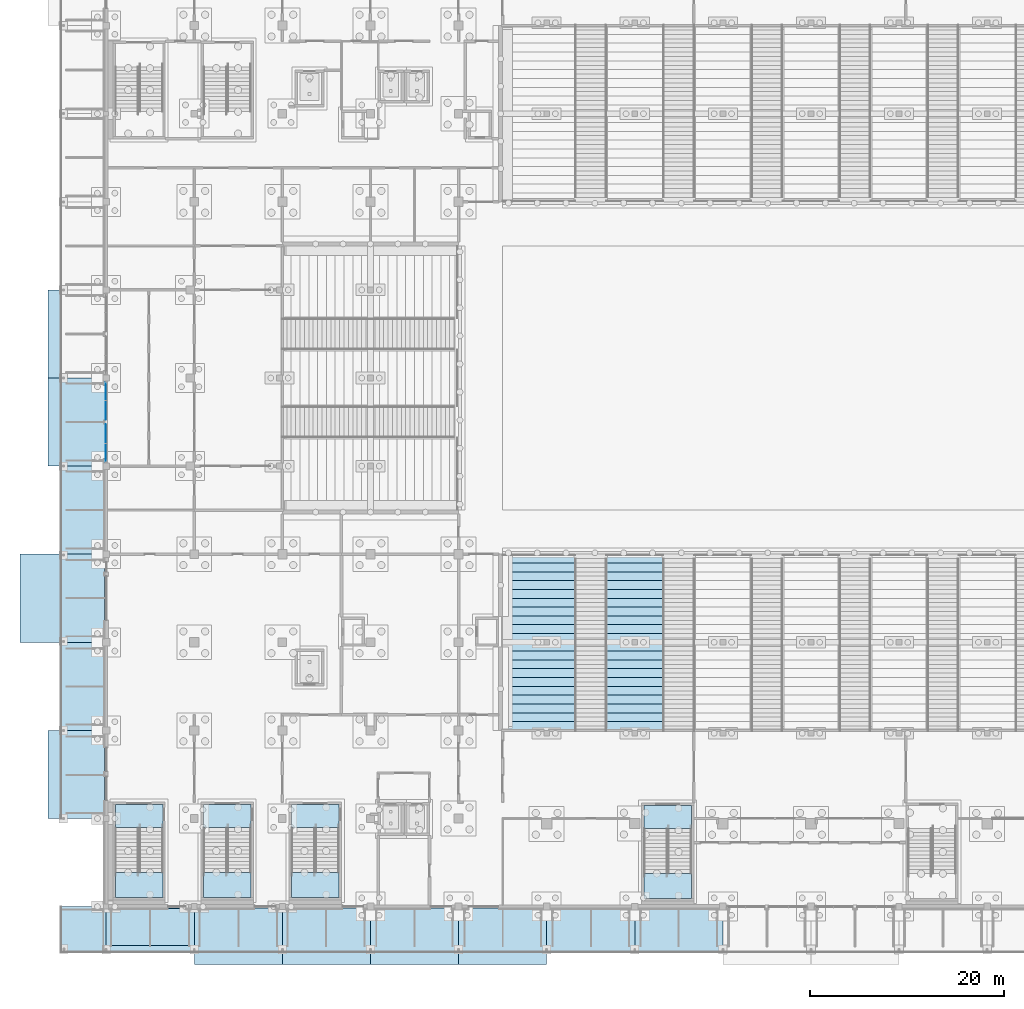
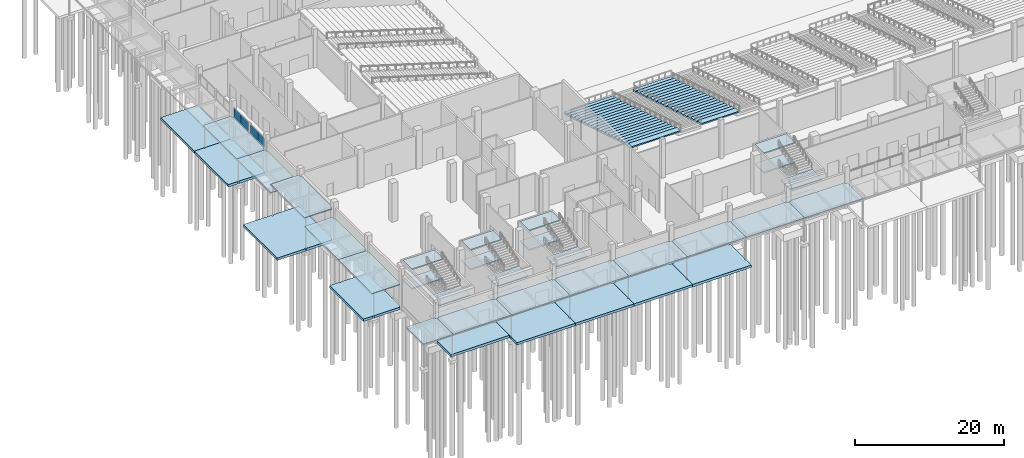
# One storey, part 60 of 129: 40 slabs, 4 plates, 6 elements without a shape of their own.
"""IFC4 building model written with IfcOpenShell, lengths in metres."""

import ifcopenshell
import ifcopenshell.guid

model = None  # the IFC model being written
_history = None  # IfcOwnerHistory: only IFC2X3 demands one
_inside = {}  # id of a spatial element -> (the spatial element, [elements in it])
_under = {}  # id of a project, library or spatial element -> (it, [spatial elements below it])
_declared = {}  # id of a project -> (the project, [libraries it declares])
_typed = {}  # id of a type object -> (the type object, [elements of that type])
_made_of = {}  # id of a material, layer set ... -> (it, [elements and type objects made of it])


def new_model(schema):
    """Start an empty IFC model of exactly this schema.

    Asked for "IFC4X3", IfcOpenShell would pick the latest addendum, in which some entities
    have other attributes; the version numbers below select the first issue.
    IFC2X3 requires an IfcOwnerHistory on every rooted entity: one is made here for all.
    """
    global model, _history
    if schema == "IFC4X3":
        model = ifcopenshell.file(schema_version=(4, 3, 0, 0))
    else:
        model = ifcopenshell.file(schema=schema)
    _inside.clear()
    _under.clear()
    _declared.clear()
    _typed.clear()
    _made_of.clear()
    _history = None
    if model.schema == "IFC2X3":
        org = make("IfcOrganization", Name="unknown")
        user = make(
            "IfcPersonAndOrganization",
            ThePerson=make("IfcPerson", FamilyName="unknown"),
            TheOrganization=org,
        )
        app = make(
            "IfcApplication",
            ApplicationDeveloper=org,
            Version="unknown",
            ApplicationFullName="unknown",
            ApplicationIdentifier="unknown",
        )
        _history = make(
            "IfcOwnerHistory",
            OwningUser=user,
            OwningApplication=app,
            ChangeAction="ADDED",
            CreationDate=0,
        )
    return model


def make(cls, **values):
    """One entity of the class cls with the attributes given. An attribute that is None is left unset."""
    return model.create_entity(
        cls, **{name: value for name, value in values.items() if value is not None}
    )


def rooted(cls, **values):
    """An entity with a GlobalId (a new one), such as an element, a storey or a relation."""
    return make(cls, GlobalId=ifcopenshell.guid.new(), OwnerHistory=_history, **values)


def si_unit(unit_type, name, prefix=None):
    """IfcSIUnit, for example si_unit("LENGTHUNIT", "METRE", prefix="MILLI")."""
    return make("IfcSIUnit", UnitType=unit_type, Prefix=prefix, Name=name)


def assignment(units):
    """IfcUnitAssignment: the units of a project."""
    return None if units is None else make("IfcUnitAssignment", Units=units)


def point(xyz):
    """IfcCartesianPoint."""
    return None if xyz is None else make("IfcCartesianPoint", Coordinates=xyz)


def direction(xyz):
    """IfcDirection."""
    return None if xyz is None else make("IfcDirection", DirectionRatios=xyz)


def frame(location, z_axis=None, x_axis=None):
    """IfcAxis2Placement3D, a coordinate frame: its origin and axes. An axis left out is left unset."""
    return make(
        "IfcAxis2Placement3D",
        Location=point(location),
        Axis=direction(z_axis),
        RefDirection=direction(x_axis),
    )


def frame_2d(location, x_axis=None):
    """IfcAxis2Placement2D, a coordinate frame in the plane: its origin and x axis."""
    return make(
        "IfcAxis2Placement2D", Location=point(location), RefDirection=direction(x_axis)
    )


def origin():
    """The frame at (0, 0, 0) with its axes left unset."""
    return frame((0.0, 0.0, 0.0))


def origin_2d():
    """The frame at (0, 0) in the plane with its x axis left unset."""
    return frame_2d((0.0, 0.0))


def place(relative_to, where):
    """IfcLocalPlacement: puts the frame where relative to a parent placement (None: the world)."""
    return make(
        "IfcLocalPlacement", PlacementRelTo=relative_to, RelativePlacement=where
    )


def context(
    kind, dimensions, precision=None, world=None, true_north=None, identifier=None
):
    """IfcGeometricRepresentationContext, for example the 3D "Model" context."""
    return make(
        "IfcGeometricRepresentationContext",
        ContextIdentifier=identifier,
        ContextType=kind,
        CoordinateSpaceDimension=dimensions,
        Precision=precision,
        WorldCoordinateSystem=world,
        TrueNorth=true_north,
    )


def subcontext(parent, identifier, kind, view, scale=None):
    """IfcGeometricRepresentationSubContext, for example "Body" below "Model"."""
    return make(
        "IfcGeometricRepresentationSubContext",
        ContextIdentifier=identifier,
        ContextType=kind,
        ParentContext=parent,
        TargetScale=scale,
        TargetView=view,
    )


def project(units=None, contexts=None):
    """IfcProject with its units and contexts."""
    return rooted(
        "IfcProject",
        Name="project",
        RepresentationContexts=contexts,
        UnitsInContext=assignment(units),
    )


def spatial(cls, under=None, at=None, **own):
    """A site, building, storey or space (cls), placed at a placement, below another one or the project."""
    s = rooted(cls, ObjectPlacement=at, **own)
    if under is not None:
        _under.setdefault(under.id(), (under, []))[1].append(s)
    return s


def polyline(points):
    """IfcPolyline through the points."""
    return make("IfcPolyline", Points=[point(p) for p in points])


def profile(cls, at=None, kind="AREA", **sizes):
    """A parametric profile (cls). Its sizes go by their IFC names, for example OverallWidth=200.0."""
    return make(cls, ProfileType=kind, Position=at, **sizes)


def rectangle(**sizes):
    """IfcRectangleProfileDef."""
    return profile("IfcRectangleProfileDef", **sizes)


def outline(outer, holes=None, kind="AREA"):
    """IfcArbitraryClosedProfileDef: a profile drawn as a closed curve; with holes, ...WithVoids."""
    if holes is None:
        return make("IfcArbitraryClosedProfileDef", ProfileType=kind, OuterCurve=outer)
    return make(
        "IfcArbitraryProfileDefWithVoids",
        ProfileType=kind,
        OuterCurve=outer,
        InnerCurves=holes,
    )


def extrude(swept, where, along, depth):
    """IfcExtrudedAreaSolid: the profile swept, set in the frame where, extruded along a direction by depth."""
    return make(
        "IfcExtrudedAreaSolid",
        SweptArea=swept,
        Position=where,
        ExtrudedDirection=direction(along),
        Depth=depth,
    )


def shape(context_of_items, identifier, shape_type, items):
    """IfcShapeRepresentation: the items that make up one representation, for example the "Body"."""
    return make(
        "IfcShapeRepresentation",
        ContextOfItems=context_of_items,
        RepresentationIdentifier=identifier,
        RepresentationType=shape_type,
        Items=items,
    )


def material(Name=None, Category=None):
    """IfcMaterial."""
    return make("IfcMaterial", Name=Name, Category=Category)


def layer(
    of_material, thickness, ventilated=None, Name=None, Category=None, Priority=None
):
    """IfcMaterialLayer: one layer of a wall or slab, of a material (None: an air gap)."""
    return make(
        "IfcMaterialLayer",
        Material=of_material,
        LayerThickness=thickness,
        IsVentilated=ventilated,
        Name=Name,
        Category=Category,
        Priority=Priority,
    )


def layer_set(layers, Name=None):
    """IfcMaterialLayerSet."""
    return make("IfcMaterialLayerSet", MaterialLayers=layers, LayerSetName=Name)


def made_of(thing, what):
    """Note that an element or type object is made of a material, layer set ...; save() writes the relation."""
    if what is not None:
        _made_of.setdefault(what.id(), (what, []))[1].append(thing)
    return thing


def type_object(cls, material=None, **own):
    """A type object (cls), such as IfcWallType, which elements share."""
    return made_of(rooted(cls, **own), material)


def element(
    cls,
    number,
    at=None,
    inside=None,
    cuts=None,
    type_object=None,
    material=None,
    context=None,
    identifier="Body",
    shape_type=None,
    held_by="IfcProductDefinitionShape",
    body=None,
    shapes=None,
    **own,
):
    """One element of the class cls, such as IfcWall. Its Tag is "e" and its number.

    at: its placement. inside: the storey or other place that contains it. cuts: it is an
    opening in that element (IfcRelVoidsElement). A single representation is given by context,
    identifier, shape_type and body (its items); several are given by shapes. held_by: the class
    of the entity that holds the representations. save() writes the other relations.
    """
    e = rooted(cls, Tag="e%d" % number, ObjectPlacement=at, **own)
    if body is not None:
        shapes = [shape(context, identifier, shape_type, body)]
    if shapes is not None:
        e.Representation = make(held_by, Representations=shapes)
    if inside is not None:
        _inside.setdefault(inside.id(), (inside, []))[1].append(e)
    if cuts is not None:
        rooted(
            "IfcRelVoidsElement", RelatingBuildingElement=cuts, RelatedOpeningElement=e
        )
    if type_object is not None:
        _typed.setdefault(type_object.id(), (type_object, []))[1].append(e)
    return made_of(e, material)


def aggregate(whole, parts):
    """IfcRelAggregates: a whole, such as a stair, and the parts it consists of."""
    return rooted("IfcRelAggregates", RelatingObject=whole, RelatedObjects=parts)


def save(model, path):
    """Write the relations noted so far, then the file.

    IfcRelAggregates (storeys below a building ...), IfcRelContainedInSpatialStructure (elements
    in a storey), IfcRelDefinesByType, IfcRelAssociatesMaterial and IfcRelDeclares: one each for
    every whole, place, type object, material and project.
    """
    for whole, parts in _under.values():
        aggregate(whole, parts)
    for where, things in _inside.values():
        rooted(
            "IfcRelContainedInSpatialStructure",
            RelatedElements=things,
            RelatingStructure=where,
        )
    for kind, things in _typed.values():
        rooted("IfcRelDefinesByType", RelatedObjects=things, RelatingType=kind)
    for what, things in _made_of.values():
        rooted("IfcRelAssociatesMaterial", RelatedObjects=things, RelatingMaterial=what)
    for by, libraries in _declared.values():
        rooted("IfcRelDeclares", RelatingContext=by, RelatedDefinitions=libraries)
    model.write(path)


model = new_model("IFC4")

# Units and contexts
model_context = context("Model", 3, precision=1e-05, world=origin(), true_north=direction((0.0, 1.0)))
body_context = subcontext(model_context, "Body", "Model", "MODEL_VIEW")
ifc_project = project(units=[si_unit("LENGTHUNIT", "METRE"), si_unit("AREAUNIT", "SQUARE_METRE"), si_unit("VOLUMEUNIT", "CUBIC_METRE"), si_unit("PLANEANGLEUNIT", "RADIAN"), si_unit("MASSUNIT", "GRAM", prefix="KILO")], contexts=[model_context])

# Site, building, storey
site_placement = place(None, origin())
site = spatial("IfcSite", under=ifc_project, at=site_placement, CompositionType="ELEMENT")
building_placement = place(site_placement, origin())
building = spatial("IfcBuilding", under=site, at=building_placement, Name="Shirokan Park Arena", CompositionType="ELEMENT")
storey_placement = place(building_placement, origin())
storey = spatial("IfcBuildingStorey", under=building, at=storey_placement, Name="L00", CompositionType="ELEMENT", Elevation=0.0)

# Slabs
ifc_material_1 = material(Name="Zinc standing seam sheet")
ifc_layer_1 = layer(ifc_material_1, 0.0048828125, Name="Zinc standing seam sheet")
ifc_material_2 = material(Name="Mineral wool insulation")
ifc_layer_2 = layer(ifc_material_2, 0.050048828125, Name="Mineral wool insulation")
ifc_material_3 = material(Name="Cross-laminated timber deck", Category="wood")
ifc_layer_3 = layer(ifc_material_3, 0.094970703125, Name="Cross-laminated timber deck")
ifc_layer_set_1 = layer_set([ifc_layer_1, ifc_layer_2, ifc_layer_3], Name="Zinc standing seam sheet + Mineral wool insulation + Cross-laminated timber deck")
slab_type_1 = type_object("IfcSlabType", Name="Canopy deck 150", PredefinedType="ROOF", material=ifc_layer_set_1)
slab_1_placement = place(storey_placement, frame((0.0, 0.0, 3.60009765625)))
element("IfcSlab", 1, at=slab_1_placement, inside=storey, type_object=slab_type_1, Name="Canopy deck south bay 1", PredefinedType="ROOF", context=body_context, shape_type="SweptSolid", body=[
    extrude(outline(polyline([(8.800048828125, -0.14990234375), (8.800048828125, -0.300048828125), (9.10009765625, -0.300048828125), (9.10009765625, -4.64990234375), (0.0, -4.64990234375), (0.0, -0.25), (0.25, -0.25), (0.25, -0.14990234375), (8.800048828125, -0.14990234375)])), origin(), (0.0, 0.0, 1.0), 0.14990234375),
])
slab_2_placement = place(storey_placement, frame((0.0, 0.0, 3.60009765625)))
element("IfcSlab", 2, at=slab_2_placement, inside=storey, type_object=slab_type_1, Name="Canopy deck south bay 2", PredefinedType="ROOF", context=body_context, shape_type="SweptSolid", body=[
    extrude(outline(polyline([(17.89990234375, -0.14990234375), (17.89990234375, -0.300048828125), (18.199951171875, -0.300048828125), (18.199951171875, -4.64990234375), (9.10009765625, -4.64990234375), (9.10009765625, -0.300048828125), (9.39990234375, -0.300048828125), (9.39990234375, -0.14990234375), (17.89990234375, -0.14990234375)])), origin(), (0.0, 0.0, 1.0), 0.14990234375),
])
slab_3_placement = place(storey_placement, frame((0.0, 0.0, 3.60009765625)))
element("IfcSlab", 3, at=slab_3_placement, inside=storey, type_object=slab_type_1, Name="Canopy deck south bay 3", PredefinedType="ROOF", context=body_context, shape_type="SweptSolid", body=[
    extrude(outline(polyline([(26.949951171875, -0.14990234375), (26.949951171875, -0.35009765625), (27.300048828125, -0.35009765625), (27.300048828125, -4.64990234375), (18.199951171875, -4.64990234375), (18.199951171875, -0.300048828125), (18.5, -0.300048828125), (18.5, -0.14990234375), (26.949951171875, -0.14990234375)])), origin(), (0.0, 0.0, 1.0), 0.14990234375),
])
slab_4_placement = place(storey_placement, frame((0.0, 0.0, 3.60009765625)))
element("IfcSlab", 4, at=slab_4_placement, inside=storey, type_object=slab_type_1, Name="Canopy deck south bay 4", PredefinedType="ROOF", context=body_context, shape_type="SweptSolid", body=[
    extrude(outline(polyline([(36.02490234375, -0.14990234375), (36.02490234375, -0.375), (36.39990234375, -0.375), (36.39990234375, -4.64990234375), (27.300048828125, -4.64990234375), (27.300048828125, -0.35009765625), (27.64990234375, -0.35009765625), (27.64990234375, -0.14990234375), (36.02490234375, -0.14990234375)])), origin(), (0.0, 0.0, 1.0), 0.14990234375),
])
slab_5_placement = place(storey_placement, frame((0.0, 0.0, 3.60009765625)))
element("IfcSlab", 5, at=slab_5_placement, inside=storey, type_object=slab_type_1, Name="Canopy deck south bay 5", PredefinedType="ROOF", context=body_context, shape_type="SweptSolid", body=[
    extrude(outline(polyline([(45.14990234375, -0.14990234375), (45.14990234375, -0.35009765625), (45.5, -0.35009765625), (45.5, -4.64990234375), (36.39990234375, -4.64990234375), (36.39990234375, -0.375), (36.77490234375, -0.375), (36.77490234375, -0.14990234375), (45.14990234375, -0.14990234375)])), origin(), (0.0, 0.0, 1.0), 0.14990234375),
])
slab_6_placement = place(storey_placement, frame((0.0, 0.0, 3.60009765625)))
element("IfcSlab", 6, at=slab_6_placement, inside=storey, type_object=slab_type_1, Name="Canopy deck south bay 6", PredefinedType="ROOF", context=body_context, shape_type="SweptSolid", body=[
    extrude(outline(polyline([(54.27490234375, -0.14990234375), (54.27490234375, -0.324951171875), (54.60009765625, -0.324951171875), (54.60009765625, -4.64990234375), (45.5, -4.64990234375), (45.5, -0.35009765625), (45.85009765625, -0.35009765625), (45.85009765625, -0.14990234375), (54.27490234375, -0.14990234375)])), origin(), (0.0, 0.0, 1.0), 0.14990234375),
])
slab_7_placement = place(storey_placement, frame((0.0, 0.0, 3.60009765625)))
element("IfcSlab", 7, at=slab_7_placement, inside=storey, type_object=slab_type_1, Name="Canopy deck south bay 7", PredefinedType="ROOF", context=body_context, shape_type="SweptSolid", body=[
    extrude(outline(polyline([(63.35009765625, -0.14990234375), (63.35009765625, -0.35009765625), (63.699951171875, -0.35009765625), (63.699951171875, -4.64990234375), (54.60009765625, -4.64990234375), (54.60009765625, -0.324951171875), (54.925048828125, -0.324951171875), (54.925048828125, -0.14990234375), (63.35009765625, -0.14990234375)])), origin(), (0.0, 0.0, 1.0), 0.14990234375),
])
slab_8_placement = place(storey_placement, frame((0.0, 0.0, 3.60009765625)))
element("IfcSlab", 8, at=slab_8_placement, inside=storey, type_object=slab_type_1, Name="Canopy deck west bay 7", PredefinedType="ROOF", context=body_context, shape_type="SweptSolid", body=[
    extrude(outline(polyline([(-0.14990234375, 45.824951171875), (-0.324951171875, 45.824951171875), (-0.324951171875, 45.5), (-4.64990234375, 45.5), (-4.64990234375, 54.60009765625), (-0.324951171875, 54.60009765625), (-0.324951171875, 54.27490234375), (-0.14990234375, 54.27490234375), (-0.14990234375, 45.824951171875)])), origin(), (0.0, 0.0, 1.0), 0.14990234375),
])
slab_9_placement = place(storey_placement, frame((0.0, 0.0, 3.60009765625)))
element("IfcSlab", 9, at=slab_9_placement, inside=storey, type_object=slab_type_1, Name="Canopy deck west bay 8", PredefinedType="ROOF", context=body_context, shape_type="SweptSolid", body=[
    extrude(outline(polyline([(-0.14990234375, 36.75), (-0.35009765625, 36.75), (-0.35009765625, 36.39990234375), (-4.64990234375, 36.39990234375), (-4.64990234375, 45.5), (-0.324951171875, 45.5), (-0.324951171875, 45.175048828125), (-0.14990234375, 45.175048828125), (-0.14990234375, 36.75)])), origin(), (0.0, 0.0, 1.0), 0.14990234375),
])
slab_10_placement = place(storey_placement, frame((0.0, 0.0, 5.0)))
element("IfcSlab", 10, at=slab_10_placement, inside=storey, type_object=slab_type_1, Name="Canopy deck west bay 9", PredefinedType="ROOF", context=body_context, shape_type="SweptSolid", body=[
    extrude(outline(polyline([(-0.14990234375, 27.675048828125), (-0.375, 27.675048828125), (-0.375, 27.300048828125), (-4.64990234375, 27.300048828125), (-4.64990234375, 36.39990234375), (-0.35009765625, 36.39990234375), (-0.35009765625, 36.050048828125), (-0.14990234375, 36.050048828125), (-0.14990234375, 27.675048828125)])), origin(), (0.0, 0.0, 1.0), 0.14990234375),
])
slab_11_placement = place(storey_placement, frame((0.0, 0.0, 3.60009765625)))
element("IfcSlab", 11, at=slab_11_placement, inside=storey, type_object=slab_type_1, Name="Canopy deck west bay 10", PredefinedType="ROOF", context=body_context, shape_type="SweptSolid", body=[
    extrude(outline(polyline([(-0.14990234375, 18.574951171875), (-0.375, 18.574951171875), (-0.375, 18.199951171875), (-4.64990234375, 18.199951171875), (-4.64990234375, 27.300048828125), (-0.375, 27.300048828125), (-0.375, 26.925048828125), (-0.14990234375, 26.925048828125), (-0.14990234375, 18.574951171875)])), origin(), (0.0, 0.0, 1.0), 0.14990234375),
])
slab_12_placement = place(storey_placement, frame((0.0, 0.0, 3.60009765625)))
element("IfcSlab", 12, at=slab_12_placement, inside=storey, type_object=slab_type_1, Name="Canopy deck west bay 11", PredefinedType="ROOF", context=body_context, shape_type="SweptSolid", body=[
    extrude(outline(polyline([(-0.14990234375, 9.39990234375), (-0.300048828125, 9.39990234375), (-0.300048828125, 9.10009765625), (-4.64990234375, 9.10009765625), (-4.64990234375, 18.199951171875), (-0.375, 18.199951171875), (-0.375, 17.824951171875), (-0.14990234375, 17.824951171875), (-0.14990234375, 9.39990234375)])), origin(), (0.0, 0.0, 1.0), 0.14990234375),
])
slab_13_placement = place(storey_placement, frame((0.0, 0.0, 3.60009765625)))
element("IfcSlab", 13, at=slab_13_placement, inside=storey, type_object=slab_type_1, Name="Canopy deck SW corner", PredefinedType="ROOF", context=body_context, shape_type="SweptSolid", body=[
    extrude(outline(polyline([(0.0, -4.64990234375), (-4.64990234375, -4.64990234375), (-4.64990234375, 0.0), (-0.25, 0.0), (-0.25, -0.25), (0.0, -0.25), (0.0, -4.64990234375)])), origin(), (0.0, 0.0, 1.0), 0.14990234375),
])

# Curtain wall, plates
ifc_material_4 = material(Name="Steel and glass curtain wall", Category="steel")
ifc_layer_4 = layer(ifc_material_4, 0.199951171875)
ifc_layer_set_2 = layer_set([ifc_layer_4], Name="Steel and glass curtain wall 200 mm")
curtain_wall_type = type_object("IfcCurtainWallType", Name="Curtain wall shopfront bay 200", PredefinedType="NOTDEFINED", material=ifc_layer_set_2)
curtain_wall_1_placement = place(storey_placement, origin())
curtain_wall_1 = element("IfcCurtainWall", 14, at=curtain_wall_1_placement, inside=storey, type_object=curtain_wall_type, Name="Curtain wall west bay 7 L00 clerestory 1", PredefinedType="NOTDEFINED")
ifc_material_5 = material(Name="Toughened glass", Category="glass")
ifc_layer_5 = layer(ifc_material_5, 0.012939453125, Name="Toughened glass")
ifc_material_6 = material(Name="Interlayer film")
ifc_layer_6 = layer(ifc_material_6, 0.001953125, Name="Interlayer film")
ifc_layer_7 = layer(ifc_material_5, 0.012939453125, Name="Toughened glass")
ifc_layer_set_3 = layer_set([ifc_layer_5, ifc_layer_6, ifc_layer_7], Name="Toughened glass + Interlayer film")
plate_type = type_object("IfcPlateType", Name="Laminated glass panel 28", PredefinedType="CURTAIN_PANEL", material=ifc_layer_set_3)
plate_1_placement = place(storey_placement, frame((-0.050048828125, 53.235107421875, 3.7900390625), z_axis=(0.0, 0.0, 1.0), x_axis=(0.0, -1.0, 0.0)))
plate_1 = element("IfcPlate", 15, at=plate_1_placement, type_object=plate_type, Name="CW4 panel 1.1", PredefinedType="CURTAIN_PANEL", context=body_context, shape_type="SweptSolid", body=[
    extrude(rectangle(XDim=1.8798828125, YDim=0.028076171875, at=origin_2d()), origin(), (0.0, 0.0, 1.0), 1.43994140625),
])
plate_2_placement = place(storey_placement, frame((-0.050048828125, 51.2548828125, 3.7900390625), z_axis=(0.0, 0.0, 1.0), x_axis=(0.0, -1.0, 0.0)))
plate_2 = element("IfcPlate", 16, at=plate_2_placement, type_object=plate_type, Name="CW4 panel 2.1", PredefinedType="CURTAIN_PANEL", context=body_context, shape_type="SweptSolid", body=[
    extrude(rectangle(XDim=1.97998046875, YDim=0.028076171875, at=origin_2d()), origin(), (0.0, 0.0, 1.0), 1.43994140625),
])
aggregate(curtain_wall_1, [plate_1, plate_2])

curtain_wall_2_placement = place(storey_placement, origin())
curtain_wall_2 = element("IfcCurtainWall", 17, at=curtain_wall_2_placement, inside=storey, type_object=curtain_wall_type, Name="Curtain wall west bay 7 L00 clerestory 2", PredefinedType="NOTDEFINED")
plate_3_placement = place(storey_placement, frame((-0.050048828125, 48.844970703125, 3.7900390625), z_axis=(0.0, 0.0, 1.0), x_axis=(0.0, -1.0, 0.0)))
plate_3 = element("IfcPlate", 18, at=plate_3_placement, type_object=plate_type, Name="CW4 panel 1.1", PredefinedType="CURTAIN_PANEL", context=body_context, shape_type="SweptSolid", body=[
    extrude(rectangle(XDim=1.97998046875, YDim=0.028076171875, at=origin_2d()), origin(), (0.0, 0.0, 1.0), 1.43994140625),
])
plate_4_placement = place(storey_placement, frame((-0.050048828125, 46.864990234375, 3.7900390625), z_axis=(0.0, 0.0, 1.0), x_axis=(0.0, -1.0, 0.0)))
plate_4 = element("IfcPlate", 19, at=plate_4_placement, type_object=plate_type, Name="CW4 panel 2.1", PredefinedType="CURTAIN_PANEL", context=body_context, shape_type="SweptSolid", body=[
    extrude(rectangle(XDim=1.8798828125, YDim=0.028076171875, at=origin_2d()), origin(), (0.0, 0.0, 1.0), 1.43994140625),
])
aggregate(curtain_wall_2, [plate_3, plate_4])

# Slabs
ifc_material_7 = material(Name="Concrete paving C30", Category="concrete")
ifc_layer_8 = layer(ifc_material_7, 0.080078125, Name="Concrete paving C30")
ifc_material_8 = material(Name="Compacted aggregate sub-base")
ifc_layer_9 = layer(ifc_material_8, 0.320068359375, Name="Compacted aggregate sub-base")
ifc_layer_set_4 = layer_set([ifc_layer_8, ifc_layer_9], Name="Concrete paving C30 + Compacted aggregate sub-base")
slab_type_2 = type_object("IfcSlabType", Name="Paving slab 400", PredefinedType="FLOOR", material=ifc_layer_set_4)
slab_14_placement = place(storey_placement, frame((0.0, 0.0, -0.39990234375)))
element("IfcSlab", 20, at=slab_14_placement, inside=storey, type_object=slab_type_2, Name="Paving outside south bay 1", PredefinedType="FLOOR", context=body_context, shape_type="SweptSolid", body=[
    extrude(outline(polyline([(8.800048828125, -0.199951171875), (8.800048828125, -0.300048828125), (9.10009765625, -0.300048828125), (9.10009765625, -4.0), (0.0, -4.0), (0.0, -0.25), (0.25, -0.25), (0.25, -0.199951171875), (8.800048828125, -0.199951171875)])), origin(), (0.0, 0.0, 1.0), 0.39990234375),
])
slab_15_placement = place(storey_placement, frame((0.0, 0.0, -0.39990234375)))
element("IfcSlab", 21, at=slab_15_placement, inside=storey, type_object=slab_type_2, Name="Paving outside south bay 2", PredefinedType="FLOOR", context=body_context, shape_type="SweptSolid", body=[
    extrude(outline(polyline([(17.89990234375, -0.300048828125), (18.199951171875, -0.300048828125), (18.199951171875, -4.324951171875), (18.10009765625, -4.324951171875), (18.10009765625, -4.52490234375), (18.199951171875, -4.52490234375), (18.199951171875, -6.0), (9.10009765625, -6.0), (9.10009765625, -4.52490234375), (9.199951171875, -4.52490234375), (9.199951171875, -4.324951171875), (9.10009765625, -4.324951171875), (9.10009765625, -0.300048828125), (9.39990234375, -0.300048828125), (9.39990234375, -0.199951171875), (17.89990234375, -0.199951171875), (17.89990234375, -0.300048828125)])), origin(), (0.0, 0.0, 1.0), 0.39990234375),
])
slab_16_placement = place(storey_placement, frame((0.0, 0.0, -0.39990234375)))
element("IfcSlab", 22, at=slab_16_placement, inside=storey, type_object=slab_type_2, Name="Paving outside south bay 3", PredefinedType="FLOOR", context=body_context, shape_type="SweptSolid", body=[
    extrude(outline(polyline([(26.949951171875, -0.35009765625), (27.300048828125, -0.35009765625), (27.300048828125, -4.324951171875), (27.199951171875, -4.324951171875), (27.199951171875, -4.52490234375), (27.300048828125, -4.52490234375), (27.300048828125, -6.0), (18.199951171875, -6.0), (18.199951171875, -4.52490234375), (18.300048828125, -4.52490234375), (18.300048828125, -4.324951171875), (18.199951171875, -4.324951171875), (18.199951171875, -0.300048828125), (18.5, -0.300048828125), (18.5, -0.199951171875), (26.949951171875, -0.199951171875), (26.949951171875, -0.35009765625)])), origin(), (0.0, 0.0, 1.0), 0.39990234375),
])
slab_17_placement = place(storey_placement, frame((0.0, 0.0, -0.39990234375)))
element("IfcSlab", 23, at=slab_17_placement, inside=storey, type_object=slab_type_2, Name="Paving outside south bay 4", PredefinedType="FLOOR", context=body_context, shape_type="SweptSolid", body=[
    extrude(outline(polyline([(36.02490234375, -0.375), (36.39990234375, -0.375), (36.39990234375, -4.324951171875), (36.300048828125, -4.324951171875), (36.300048828125, -4.52490234375), (36.39990234375, -4.52490234375), (36.39990234375, -6.0), (27.300048828125, -6.0), (27.300048828125, -4.52490234375), (27.39990234375, -4.52490234375), (27.39990234375, -4.324951171875), (27.300048828125, -4.324951171875), (27.300048828125, -0.35009765625), (27.64990234375, -0.35009765625), (27.64990234375, -0.199951171875), (36.02490234375, -0.199951171875), (36.02490234375, -0.375)])), origin(), (0.0, 0.0, 1.0), 0.39990234375),
])
slab_18_placement = place(storey_placement, frame((0.0, 0.0, -0.39990234375)))
element("IfcSlab", 24, at=slab_18_placement, inside=storey, type_object=slab_type_2, Name="Paving outside south bay 5", PredefinedType="FLOOR", context=body_context, shape_type="SweptSolid", body=[
    extrude(outline(polyline([(45.14990234375, -0.35009765625), (45.5, -0.35009765625), (45.5, -4.324951171875), (45.39990234375, -4.324951171875), (45.39990234375, -4.52490234375), (45.5, -4.52490234375), (45.5, -6.0), (36.39990234375, -6.0), (36.39990234375, -4.52490234375), (36.5, -4.52490234375), (36.5, -4.324951171875), (36.39990234375, -4.324951171875), (36.39990234375, -0.375), (36.77490234375, -0.375), (36.77490234375, -0.199951171875), (45.14990234375, -0.199951171875), (45.14990234375, -0.35009765625)])), origin(), (0.0, 0.0, 1.0), 0.39990234375),
])
slab_19_placement = place(storey_placement, frame((0.0, 0.0, -0.39990234375)))
element("IfcSlab", 25, at=slab_19_placement, inside=storey, type_object=slab_type_2, Name="Paving outside west bay 6", PredefinedType="FLOOR", context=body_context, shape_type="SweptSolid", body=[
    extrude(outline(polyline([(-0.324951171875, 54.925048828125), (-0.324951171875, 54.60009765625), (-4.324951171875, 54.60009765625), (-4.324951171875, 54.699951171875), (-4.52490234375, 54.699951171875), (-4.52490234375, 54.60009765625), (-6.0, 54.60009765625), (-6.0, 63.699951171875), (-4.52490234375, 63.699951171875), (-4.52490234375, 63.60009765625), (-4.324951171875, 63.60009765625), (-4.324951171875, 63.699951171875), (-0.324951171875, 63.699951171875), (-0.324951171875, 63.375), (-0.199951171875, 63.375), (-0.199951171875, 54.925048828125), (-0.324951171875, 54.925048828125)])), origin(), (0.0, 0.0, 1.0), 0.39990234375),
])
slab_20_placement = place(storey_placement, frame((0.0, 0.0, -0.39990234375)))
element("IfcSlab", 26, at=slab_20_placement, inside=storey, type_object=slab_type_2, Name="Paving outside west bay 7", PredefinedType="FLOOR", context=body_context, shape_type="SweptSolid", body=[
    extrude(outline(polyline([(-0.324951171875, 45.824951171875), (-0.324951171875, 45.5), (-4.324951171875, 45.5), (-4.324951171875, 45.60009765625), (-4.52490234375, 45.60009765625), (-4.52490234375, 45.5), (-6.0, 45.5), (-6.0, 54.60009765625), (-4.52490234375, 54.60009765625), (-4.52490234375, 54.5), (-4.324951171875, 54.5), (-4.324951171875, 54.60009765625), (-0.324951171875, 54.60009765625), (-0.324951171875, 54.27490234375), (-0.199951171875, 54.27490234375), (-0.199951171875, 45.824951171875), (-0.324951171875, 45.824951171875)])), origin(), (0.0, 0.0, 1.0), 0.39990234375),
])
slab_21_placement = place(storey_placement, frame((0.0, 0.0, -0.39990234375)))
element("IfcSlab", 27, at=slab_21_placement, inside=storey, type_object=slab_type_2, Name="Paving outside west bay 9", PredefinedType="FLOOR", context=body_context, shape_type="SweptSolid", body=[
    extrude(outline(polyline([(-0.375, 27.675048828125), (-0.375, 27.300048828125), (-4.324951171875, 27.300048828125), (-4.324951171875, 27.5), (-4.52490234375, 27.5), (-4.52490234375, 27.300048828125), (-8.89990234375, 27.300048828125), (-8.89990234375, 36.39990234375), (-4.52490234375, 36.39990234375), (-4.52490234375, 36.199951171875), (-4.324951171875, 36.199951171875), (-4.324951171875, 36.39990234375), (-0.35009765625, 36.39990234375), (-0.35009765625, 36.050048828125), (-0.199951171875, 36.050048828125), (-0.199951171875, 27.675048828125), (-0.375, 27.675048828125)])), origin(), (0.0, 0.0, 1.0), 0.39990234375),
])
slab_22_placement = place(storey_placement, frame((0.0, 0.0, -0.39990234375)))
element("IfcSlab", 28, at=slab_22_placement, inside=storey, type_object=slab_type_2, Name="Paving outside west bay 11", PredefinedType="FLOOR", context=body_context, shape_type="SweptSolid", body=[
    extrude(outline(polyline([(-0.300048828125, 9.39990234375), (-0.300048828125, 9.10009765625), (-4.324951171875, 9.10009765625), (-4.324951171875, 9.199951171875), (-4.52490234375, 9.199951171875), (-4.52490234375, 9.10009765625), (-6.0, 9.10009765625), (-6.0, 18.199951171875), (-4.52490234375, 18.199951171875), (-4.52490234375, 18.10009765625), (-4.324951171875, 18.10009765625), (-4.324951171875, 18.199951171875), (-0.375, 18.199951171875), (-0.375, 17.824951171875), (-0.199951171875, 17.824951171875), (-0.199951171875, 9.39990234375), (-0.300048828125, 9.39990234375)])), origin(), (0.0, 0.0, 1.0), 0.39990234375),
])
ifc_material_9 = material(Name="Concrete C35", Category="concrete")
ifc_layer_10 = layer(ifc_material_9, 0.199951171875)
ifc_layer_set_5 = layer_set([ifc_layer_10], Name="Concrete C35 200 mm")
slab_type_3 = type_object("IfcSlabType", Name="RC seating tier lower 200", PredefinedType="USERDEFINED", material=ifc_layer_set_5)
slab_23_placement = place(storey_placement, frame((44.699951171875, 36.39990234375, 1.050048828125), z_axis=(0.0, 0.0, 1.0), x_axis=(0.0, -1.0, 0.0)))
element("IfcSlab", 29, at=slab_23_placement, inside=storey, type_object=slab_type_3, Name="Stand lower S 1", ObjectType="SEATING TIER", PredefinedType="USERDEFINED", context=body_context, shape_type="SweptSolid", body=[
    extrude(outline(polyline([(0.0, 0.0), (0.909912109375, 0.0), (0.909912109375, 0.280029296875), (1.820068359375, 0.280029296875), (1.820068359375, 0.56005859375), (2.72998046875, 0.56005859375), (2.72998046875, 0.840087890625), (3.639892578125, 0.840087890625), (3.639892578125, 1.1201171875), (4.550048828125, 1.1201171875), (4.550048828125, 1.39990234375), (5.4599609375, 1.39990234375), (5.4599609375, 1.679931640625), (6.3701171875, 1.679931640625), (6.3701171875, 1.9599609375), (7.280029296875, 1.9599609375), (7.280029296875, 2.239990234375), (8.18994140625, 2.239990234375), (8.18994140625, 2.52001953125), (9.10009765625, 2.52001953125), (9.10009765625, 2.800048828125), (10.010009765625, 2.800048828125), (10.010009765625, 3.080078125), (10.919921875, 3.080078125), (10.919921875, 3.360107421875), (11.830078125, 3.360107421875), (11.830078125, 3.639892578125), (12.739990234375, 3.639892578125), (12.739990234375, 3.919921875), (13.64990234375, 3.919921875), (13.64990234375, 4.199951171875), (14.56005859375, 4.199951171875), (14.56005859375, 4.47998046875), (15.469970703125, 4.47998046875), (15.469970703125, 4.760009765625), (16.3798828125, 4.760009765625), (16.3798828125, 5.0400390625), (17.2900390625, 5.0400390625), (17.2900390625, 5.320068359375), (18.199951171875, 5.320068359375), (18.199951171875, 5.11083984375), (0.0, -0.4892578125), (0.0, 0.0)])), frame((0.0, 3.75, 0.0), z_axis=(0.0, -1.0, 0.0), x_axis=(1.0, 0.0, 0.0)), (0.0, 0.0, 1.0), 7.5),
])
slab_24_placement = place(storey_placement, frame((54.60009765625, 36.39990234375, 1.050048828125), z_axis=(0.0, 0.0, 1.0), x_axis=(0.0, -1.0, 0.0)))
element("IfcSlab", 30, at=slab_24_placement, inside=storey, type_object=slab_type_3, Name="Stand lower S 2", ObjectType="SEATING TIER", PredefinedType="USERDEFINED", context=body_context, shape_type="SweptSolid", body=[
    extrude(outline(polyline([(0.0, 0.0), (0.909912109375, 0.0), (0.909912109375, 0.280029296875), (1.820068359375, 0.280029296875), (1.820068359375, 0.56005859375), (2.72998046875, 0.56005859375), (2.72998046875, 0.840087890625), (3.639892578125, 0.840087890625), (3.639892578125, 1.1201171875), (4.550048828125, 1.1201171875), (4.550048828125, 1.39990234375), (5.4599609375, 1.39990234375), (5.4599609375, 1.679931640625), (6.3701171875, 1.679931640625), (6.3701171875, 1.9599609375), (7.280029296875, 1.9599609375), (7.280029296875, 2.239990234375), (8.18994140625, 2.239990234375), (8.18994140625, 2.52001953125), (9.10009765625, 2.52001953125), (9.10009765625, 2.800048828125), (10.010009765625, 2.800048828125), (10.010009765625, 3.080078125), (10.919921875, 3.080078125), (10.919921875, 3.360107421875), (11.830078125, 3.360107421875), (11.830078125, 3.639892578125), (12.739990234375, 3.639892578125), (12.739990234375, 3.919921875), (13.64990234375, 3.919921875), (13.64990234375, 4.199951171875), (14.56005859375, 4.199951171875), (14.56005859375, 4.47998046875), (15.469970703125, 4.47998046875), (15.469970703125, 4.760009765625), (16.3798828125, 4.760009765625), (16.3798828125, 5.0400390625), (17.2900390625, 5.0400390625), (17.2900390625, 5.320068359375), (18.199951171875, 5.320068359375), (18.199951171875, 5.11083984375), (0.0, -0.4892578125), (0.0, 0.0)])), frame((0.0, 2.949951171875, 0.0), z_axis=(0.0, -1.0, 0.0), x_axis=(1.0, 0.0, 0.0)), (0.0, 0.0, 1.0), 5.89990234375),
])

# Stair, slabs
ifc_material_10 = material(Name="Concrete C30 precast", Category="concrete")
stair_type = type_object("IfcStairType", Name="Stair 52 risers 122 x 385 2400 wide", PredefinedType="DOUBLE_RETURN_STAIR", material=ifc_material_10)
stair_1_placement = place(storey_placement, origin())
stair_1 = element("IfcStair", 31, at=stair_1_placement, inside=storey, type_object=stair_type, Name="Exit Stair 1.A L00 to L01", PredefinedType="DOUBLE_RETURN_STAIR")
ifc_layer_11 = layer(ifc_material_10, 0.199951171875)
ifc_layer_set_6 = layer_set([ifc_layer_11], Name="Concrete C30 precast 200 mm")
slab_type_4 = type_object("IfcSlabType", Name="Stair landing 200", PredefinedType="LANDING", material=ifc_layer_set_6)
slab_25_placement = place(storey_placement, frame((0.0, 0.0, 1.392578125)))
slab_25 = element("IfcSlab", 32, at=slab_25_placement, type_object=slab_type_4, Name="ST01.1 landing 1", PredefinedType="LANDING", context=body_context, shape_type="SweptSolid", body=[
    extrude(outline(polyline([(0.949951171875, 0.949951171875), (5.85009765625, 0.949951171875), (5.85009765625, 3.530029296875), (0.949951171875, 3.530029296875), (0.949951171875, 0.949951171875)])), origin(), (0.0, 0.0, 1.0), 0.199951171875),
])
slab_26_placement = place(storey_placement, frame((0.0, 0.0, 2.985107421875)))
slab_26 = element("IfcSlab", 33, at=slab_26_placement, type_object=slab_type_4, Name="ST01.1 landing 2", PredefinedType="LANDING", context=body_context, shape_type="SweptSolid", body=[
    extrude(outline(polyline([(0.949951171875, 8.14990234375), (5.85009765625, 8.14990234375), (5.85009765625, 10.550048828125), (0.949951171875, 10.550048828125), (0.949951171875, 8.14990234375)])), origin(), (0.0, 0.0, 1.0), 0.199951171875),
])
slab_27_placement = place(storey_placement, frame((0.0, 0.0, 4.577392578125)))
slab_27 = element("IfcSlab", 34, at=slab_27_placement, type_object=slab_type_4, Name="ST01.1 landing 3", PredefinedType="LANDING", context=body_context, shape_type="SweptSolid", body=[
    extrude(outline(polyline([(0.949951171875, 0.949951171875), (5.85009765625, 0.949951171875), (5.85009765625, 3.530029296875), (0.949951171875, 3.530029296875), (0.949951171875, 0.949951171875)])), origin(), (0.0, 0.0, 1.0), 0.2001953125),
])
slab_28_placement = place(storey_placement, frame((0.0, 0.0, 6.169921875)))
slab_28 = element("IfcSlab", 35, at=slab_28_placement, type_object=slab_type_4, Name="ST01.1 landing 4", PredefinedType="LANDING", context=body_context, shape_type="SweptSolid", body=[
    extrude(outline(polyline([(0.949951171875, 8.14990234375), (5.85009765625, 8.14990234375), (5.85009765625, 10.550048828125), (0.949951171875, 10.550048828125), (0.949951171875, 8.14990234375)])), origin(), (0.0, 0.0, 1.0), 0.2001953125),
])
aggregate(stair_1, [slab_25, slab_26, slab_27, slab_28])

stair_2_placement = place(storey_placement, origin())
stair_2 = element("IfcStair", 36, at=stair_2_placement, inside=storey, type_object=stair_type, Name="Exit Stair 1.B L00 to L01", PredefinedType="DOUBLE_RETURN_STAIR")
slab_29_placement = place(storey_placement, frame((0.0, 0.0, 1.392578125)))
slab_29 = element("IfcSlab", 37, at=slab_29_placement, type_object=slab_type_4, Name="ST02.1 landing 1", PredefinedType="LANDING", context=body_context, shape_type="SweptSolid", body=[
    extrude(outline(polyline([(10.050048828125, 0.949951171875), (14.949951171875, 0.949951171875), (14.949951171875, 3.530029296875), (10.050048828125, 3.530029296875), (10.050048828125, 0.949951171875)])), origin(), (0.0, 0.0, 1.0), 0.199951171875),
])
slab_30_placement = place(storey_placement, frame((0.0, 0.0, 2.985107421875)))
slab_30 = element("IfcSlab", 38, at=slab_30_placement, type_object=slab_type_4, Name="ST02.1 landing 2", PredefinedType="LANDING", context=body_context, shape_type="SweptSolid", body=[
    extrude(outline(polyline([(10.050048828125, 8.14990234375), (14.949951171875, 8.14990234375), (14.949951171875, 10.550048828125), (10.050048828125, 10.550048828125), (10.050048828125, 8.14990234375)])), origin(), (0.0, 0.0, 1.0), 0.199951171875),
])
slab_31_placement = place(storey_placement, frame((0.0, 0.0, 4.577392578125)))
slab_31 = element("IfcSlab", 39, at=slab_31_placement, type_object=slab_type_4, Name="ST02.1 landing 3", PredefinedType="LANDING", context=body_context, shape_type="SweptSolid", body=[
    extrude(outline(polyline([(10.050048828125, 0.949951171875), (14.949951171875, 0.949951171875), (14.949951171875, 3.530029296875), (10.050048828125, 3.530029296875), (10.050048828125, 0.949951171875)])), origin(), (0.0, 0.0, 1.0), 0.2001953125),
])
slab_32_placement = place(storey_placement, frame((0.0, 0.0, 6.169921875)))
slab_32 = element("IfcSlab", 40, at=slab_32_placement, type_object=slab_type_4, Name="ST02.1 landing 4", PredefinedType="LANDING", context=body_context, shape_type="SweptSolid", body=[
    extrude(outline(polyline([(10.050048828125, 8.14990234375), (14.949951171875, 8.14990234375), (14.949951171875, 10.550048828125), (10.050048828125, 10.550048828125), (10.050048828125, 8.14990234375)])), origin(), (0.0, 0.0, 1.0), 0.2001953125),
])
aggregate(stair_2, [slab_29, slab_30, slab_31, slab_32])

stair_3_placement = place(storey_placement, origin())
stair_3 = element("IfcStair", 41, at=stair_3_placement, inside=storey, type_object=stair_type, Name="Exit Stair 1.C L00 to L01", PredefinedType="DOUBLE_RETURN_STAIR")
slab_33_placement = place(storey_placement, frame((0.0, 0.0, 1.392578125)))
slab_33 = element("IfcSlab", 42, at=slab_33_placement, type_object=slab_type_4, Name="ST03.1 landing 1", PredefinedType="LANDING", context=body_context, shape_type="SweptSolid", body=[
    extrude(outline(polyline([(19.14990234375, 0.949951171875), (24.050048828125, 0.949951171875), (24.050048828125, 3.530029296875), (19.14990234375, 3.530029296875), (19.14990234375, 0.949951171875)])), origin(), (0.0, 0.0, 1.0), 0.199951171875),
])
slab_34_placement = place(storey_placement, frame((0.0, 0.0, 2.985107421875)))
slab_34 = element("IfcSlab", 43, at=slab_34_placement, type_object=slab_type_4, Name="ST03.1 landing 2", PredefinedType="LANDING", context=body_context, shape_type="SweptSolid", body=[
    extrude(outline(polyline([(19.14990234375, 8.14990234375), (24.050048828125, 8.14990234375), (24.050048828125, 10.550048828125), (19.14990234375, 10.550048828125), (19.14990234375, 8.14990234375)])), origin(), (0.0, 0.0, 1.0), 0.199951171875),
])
slab_35_placement = place(storey_placement, frame((0.0, 0.0, 4.577392578125)))
slab_35 = element("IfcSlab", 44, at=slab_35_placement, type_object=slab_type_4, Name="ST03.1 landing 3", PredefinedType="LANDING", context=body_context, shape_type="SweptSolid", body=[
    extrude(outline(polyline([(19.14990234375, 0.949951171875), (24.050048828125, 0.949951171875), (24.050048828125, 3.530029296875), (19.14990234375, 3.530029296875), (19.14990234375, 0.949951171875)])), origin(), (0.0, 0.0, 1.0), 0.2001953125),
])
slab_36_placement = place(storey_placement, frame((0.0, 0.0, 6.169921875)))
slab_36 = element("IfcSlab", 45, at=slab_36_placement, type_object=slab_type_4, Name="ST03.1 landing 4", PredefinedType="LANDING", context=body_context, shape_type="SweptSolid", body=[
    extrude(outline(polyline([(19.14990234375, 8.14990234375), (24.050048828125, 8.14990234375), (24.050048828125, 10.550048828125), (19.14990234375, 10.550048828125), (19.14990234375, 8.14990234375)])), origin(), (0.0, 0.0, 1.0), 0.2001953125),
])
aggregate(stair_3, [slab_33, slab_34, slab_35, slab_36])

stair_4_placement = place(storey_placement, origin())
stair_4 = element("IfcStair", 46, at=stair_4_placement, inside=storey, type_object=stair_type, Name="Entrance Stair E1.1 L00 to L01", PredefinedType="DOUBLE_RETURN_STAIR")
slab_37_placement = place(storey_placement, frame((0.0, 0.0, 1.392578125)))
slab_37 = element("IfcSlab", 47, at=slab_37_placement, type_object=slab_type_4, Name="ST24.1 landing 1", PredefinedType="LANDING", context=body_context, shape_type="SweptSolid", body=[
    extrude(outline(polyline([(55.550048828125, 0.85009765625), (60.449951171875, 0.85009765625), (60.449951171875, 3.429931640625), (55.550048828125, 3.429931640625), (55.550048828125, 0.85009765625)])), origin(), (0.0, 0.0, 1.0), 0.199951171875),
])
slab_38_placement = place(storey_placement, frame((0.0, 0.0, 2.985107421875)))
slab_38 = element("IfcSlab", 48, at=slab_38_placement, type_object=slab_type_4, Name="ST24.1 landing 2", PredefinedType="LANDING", context=body_context, shape_type="SweptSolid", body=[
    extrude(outline(polyline([(55.550048828125, 8.050048828125), (60.449951171875, 8.050048828125), (60.449951171875, 10.449951171875), (55.550048828125, 10.449951171875), (55.550048828125, 8.050048828125)])), origin(), (0.0, 0.0, 1.0), 0.199951171875),
])
slab_39_placement = place(storey_placement, frame((0.0, 0.0, 4.577392578125)))
slab_39 = element("IfcSlab", 49, at=slab_39_placement, type_object=slab_type_4, Name="ST24.1 landing 3", PredefinedType="LANDING", context=body_context, shape_type="SweptSolid", body=[
    extrude(outline(polyline([(55.550048828125, 0.85009765625), (60.449951171875, 0.85009765625), (60.449951171875, 3.429931640625), (55.550048828125, 3.429931640625), (55.550048828125, 0.85009765625)])), origin(), (0.0, 0.0, 1.0), 0.2001953125),
])
slab_40_placement = place(storey_placement, frame((0.0, 0.0, 6.169921875)))
slab_40 = element("IfcSlab", 50, at=slab_40_placement, type_object=slab_type_4, Name="ST24.1 landing 4", PredefinedType="LANDING", context=body_context, shape_type="SweptSolid", body=[
    extrude(outline(polyline([(55.550048828125, 8.050048828125), (60.449951171875, 8.050048828125), (60.449951171875, 10.449951171875), (55.550048828125, 10.449951171875), (55.550048828125, 8.050048828125)])), origin(), (0.0, 0.0, 1.0), 0.2001953125),
])
aggregate(stair_4, [slab_37, slab_38, slab_39, slab_40])

save(model, "model.ifc")
